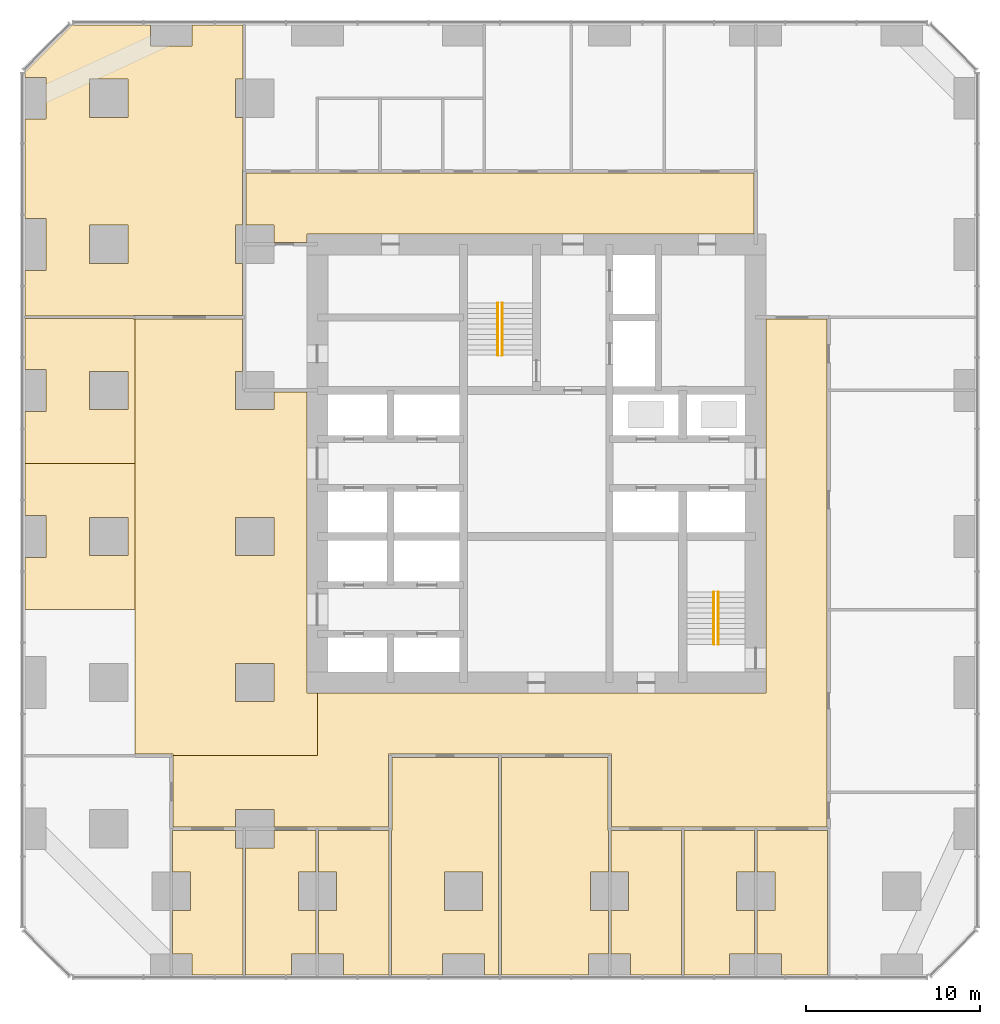
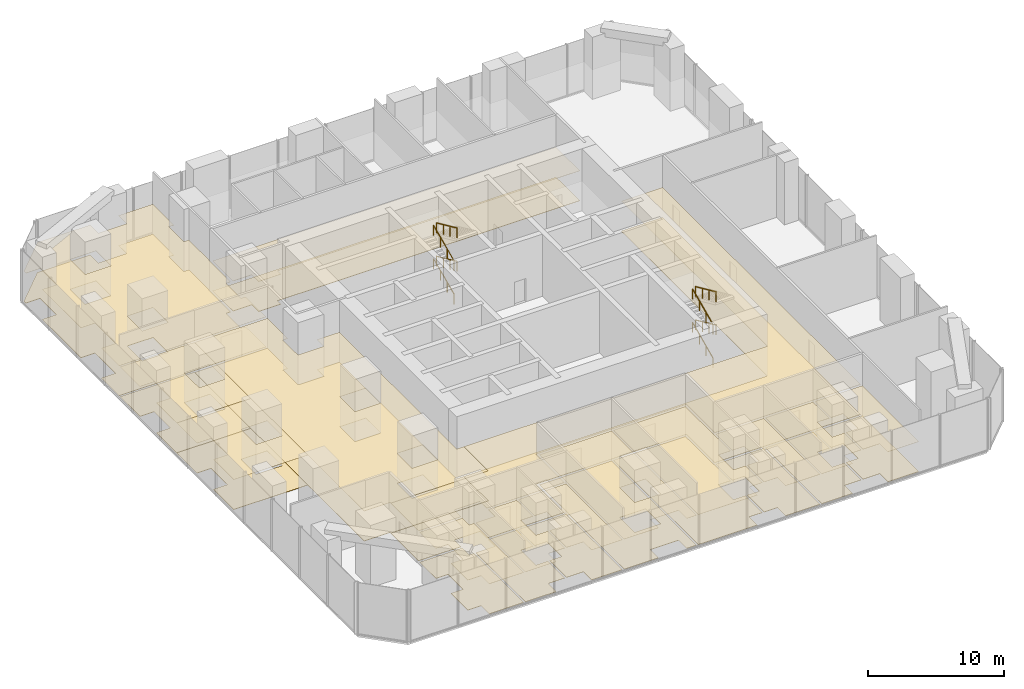
# One storey, part 11 of 13: 28 coverings, 8 railings.
"""IFC4 building model written with IfcOpenShell, lengths in metres."""

from ifc_helpers import new_model, si_unit, direction, frame, origin, origin_2d, place, context, subcontext, project, spatial, polyline, circle, outline, extrude, material, layer, layer_set, type_object, element, save


model = new_model("IFC4")

# Units and contexts
model_context = context("Model", 3, precision=1e-05, world=origin(), true_north=direction((0.0, 1.0)))
body_context = subcontext(model_context, "Body", "Model", "MODEL_VIEW")
ifc_project = project(units=[si_unit("LENGTHUNIT", "METRE"), si_unit("AREAUNIT", "SQUARE_METRE"), si_unit("VOLUMEUNIT", "CUBIC_METRE"), si_unit("PLANEANGLEUNIT", "RADIAN"), si_unit("MASSUNIT", "GRAM", prefix="KILO")], contexts=[model_context])

# Site, building, storey
site_placement = place(None, origin())
site = spatial("IfcSite", under=ifc_project, at=site_placement, CompositionType="ELEMENT")
building_placement = place(site_placement, origin())
building = spatial("IfcBuilding", under=site, at=building_placement, Name="Dunama Terrace Hotel", CompositionType="ELEMENT")
storey_placement = place(building_placement, frame((0.0, 0.0, 147.60009765625)))
storey = spatial("IfcBuildingStorey", under=building, at=storey_placement, Name="L38", CompositionType="ELEMENT", Elevation=147.60009765625)

# Railings
ifc_material_1 = material(Name="Stainless steel handrail", Category="steel")
railing_type = type_object("IfcRailingType", Name="Stair handrail 900", PredefinedType="HANDRAIL", material=ifc_material_1)
railing_1_placement = place(storey_placement, frame((27.175048828125, 35.625, 0.13623046875)))
element("IfcRailing", 1, at=railing_1_placement, inside=storey, type_object=railing_type, Name="Handrail ST1 L38", PredefinedType="HANDRAIL", context=body_context, shape_type="SweptSolid", body=[
    extrude(circle(Radius=0.02392578125, at=origin_2d()), frame((0.0, 0.0, 0.8759765625), z_axis=(0.0, 0.910351253989, 0.413836434308), x_axis=(-1.0, 0.0, 0.0)), (0.0, 0.0, 1.0), 3.29541015625),
    extrude(circle(Radius=0.02099609375, at=origin_2d()), origin(), (0.0, 0.0, 1.0), 0.851806640625),
    extrude(circle(Radius=0.02099609375, at=origin_2d()), frame((0.0, 1.0, 0.45458984375)), (0.0, 0.0, 1.0), 0.851806640625),
    extrude(circle(Radius=0.02099609375, at=origin_2d()), frame((0.0, 2.0, 0.9091796875)), (0.0, 0.0, 1.0), 0.851806640625),
    extrude(circle(Radius=0.02099609375, at=origin_2d()), frame((0.0, 3.0, 1.36376953125)), (0.0, 0.0, 1.0), 0.851806640625),
])
railing_2_placement = place(storey_placement, frame((27.425048828125, 38.625, 1.63623046875)))
element("IfcRailing", 2, at=railing_2_placement, inside=storey, type_object=railing_type, Name="Handrail ST1 L38", PredefinedType="HANDRAIL", context=body_context, shape_type="SweptSolid", body=[
    extrude(circle(Radius=0.02392578125, at=origin_2d()), frame((0.0, 0.0, 0.8759765625), z_axis=(0.0, -0.910351253989, 0.413836434308), x_axis=(1.0, 0.0, 0.0)), (0.0, 0.0, 1.0), 3.29541015625),
    extrude(circle(Radius=0.02099609375, at=origin_2d()), origin(), (0.0, 0.0, 1.0), 0.851806640625),
    extrude(circle(Radius=0.02099609375, at=origin_2d()), frame((0.0, -1.0, 0.45458984375)), (0.0, 0.0, 1.0), 0.851806640625),
    extrude(circle(Radius=0.02099609375, at=origin_2d()), frame((0.0, -2.0, 0.9091796875)), (0.0, 0.0, 1.0), 0.851806640625),
    extrude(circle(Radius=0.02099609375, at=origin_2d()), frame((0.0, -3.0, 1.36376953125)), (0.0, 0.0, 1.0), 0.851806640625),
])
railing_3_placement = place(storey_placement, frame((27.175048828125, 35.625, 3.13623046875)))
element("IfcRailing", 3, at=railing_3_placement, inside=storey, type_object=railing_type, Name="Handrail ST1 L38", PredefinedType="HANDRAIL", context=body_context, shape_type="SweptSolid", body=[
    extrude(circle(Radius=0.02392578125, at=origin_2d()), frame((0.0, 0.0, 0.8759765625), z_axis=(0.0, 0.910351253989, 0.413836434308), x_axis=(-1.0, 0.0, 0.0)), (0.0, 0.0, 1.0), 3.29541015625),
    extrude(circle(Radius=0.02099609375, at=origin_2d()), origin(), (0.0, 0.0, 1.0), 0.851806640625),
    extrude(circle(Radius=0.02099609375, at=origin_2d()), frame((0.0, 1.0, 0.45458984375)), (0.0, 0.0, 1.0), 0.851806640625),
    extrude(circle(Radius=0.02099609375, at=origin_2d()), frame((0.0, 2.0, 0.9091796875)), (0.0, 0.0, 1.0), 0.851806640625),
    extrude(circle(Radius=0.02099609375, at=origin_2d()), frame((0.0, 3.0, 1.36376953125)), (0.0, 0.0, 1.0), 0.851806640625),
])
railing_4_placement = place(storey_placement, frame((27.425048828125, 38.625, 4.63623046875)))
element("IfcRailing", 4, at=railing_4_placement, inside=storey, type_object=railing_type, Name="Handrail ST1 L38", PredefinedType="HANDRAIL", context=body_context, shape_type="SweptSolid", body=[
    extrude(circle(Radius=0.02392578125, at=origin_2d()), frame((0.0, 0.0, 0.8759765625), z_axis=(0.0, -0.910351253989, 0.413836434308), x_axis=(1.0, 0.0, 0.0)), (0.0, 0.0, 1.0), 3.29541015625),
    extrude(circle(Radius=0.02099609375, at=origin_2d()), origin(), (0.0, 0.0, 1.0), 0.851806640625),
    extrude(circle(Radius=0.02099609375, at=origin_2d()), frame((0.0, -1.0, 0.45458984375)), (0.0, 0.0, 1.0), 0.851806640625),
    extrude(circle(Radius=0.02099609375, at=origin_2d()), frame((0.0, -2.0, 0.9091796875)), (0.0, 0.0, 1.0), 0.851806640625),
    extrude(circle(Radius=0.02099609375, at=origin_2d()), frame((0.0, -3.0, 1.36376953125)), (0.0, 0.0, 1.0), 0.851806640625),
])
railing_5_placement = place(storey_placement, frame((39.60009765625, 19.0, 0.13623046875)))
element("IfcRailing", 5, at=railing_5_placement, inside=storey, type_object=railing_type, Name="Handrail ST2 L38", PredefinedType="HANDRAIL", context=body_context, shape_type="SweptSolid", body=[
    extrude(circle(Radius=0.02392578125, at=origin_2d()), frame((0.0, 0.0, 0.8759765625), z_axis=(0.0, 0.910351253989, 0.413836434308), x_axis=(-1.0, 0.0, 0.0)), (0.0, 0.0, 1.0), 3.29541015625),
    extrude(circle(Radius=0.02099609375, at=origin_2d()), origin(), (0.0, 0.0, 1.0), 0.851806640625),
    extrude(circle(Radius=0.02099609375, at=origin_2d()), frame((0.0, 1.0, 0.45458984375)), (0.0, 0.0, 1.0), 0.851806640625),
    extrude(circle(Radius=0.02099609375, at=origin_2d()), frame((0.0, 2.0, 0.9091796875)), (0.0, 0.0, 1.0), 0.851806640625),
    extrude(circle(Radius=0.02099609375, at=origin_2d()), frame((0.0, 3.0, 1.36376953125)), (0.0, 0.0, 1.0), 0.851806640625),
])
railing_6_placement = place(storey_placement, frame((39.85009765625, 22.0, 1.63623046875)))
element("IfcRailing", 6, at=railing_6_placement, inside=storey, type_object=railing_type, Name="Handrail ST2 L38", PredefinedType="HANDRAIL", context=body_context, shape_type="SweptSolid", body=[
    extrude(circle(Radius=0.02392578125, at=origin_2d()), frame((0.0, 0.0, 0.8759765625), z_axis=(0.0, -0.910351253989, 0.413836434308), x_axis=(1.0, 0.0, 0.0)), (0.0, 0.0, 1.0), 3.29541015625),
    extrude(circle(Radius=0.02099609375, at=origin_2d()), origin(), (0.0, 0.0, 1.0), 0.851806640625),
    extrude(circle(Radius=0.02099609375, at=origin_2d()), frame((0.0, -1.0, 0.45458984375)), (0.0, 0.0, 1.0), 0.851806640625),
    extrude(circle(Radius=0.02099609375, at=origin_2d()), frame((0.0, -2.0, 0.9091796875)), (0.0, 0.0, 1.0), 0.851806640625),
    extrude(circle(Radius=0.02099609375, at=origin_2d()), frame((0.0, -3.0, 1.36376953125)), (0.0, 0.0, 1.0), 0.851806640625),
])
railing_7_placement = place(storey_placement, frame((39.60009765625, 19.0, 3.13623046875)))
element("IfcRailing", 7, at=railing_7_placement, inside=storey, type_object=railing_type, Name="Handrail ST2 L38", PredefinedType="HANDRAIL", context=body_context, shape_type="SweptSolid", body=[
    extrude(circle(Radius=0.02392578125, at=origin_2d()), frame((0.0, 0.0, 0.8759765625), z_axis=(0.0, 0.910351253989, 0.413836434308), x_axis=(-1.0, 0.0, 0.0)), (0.0, 0.0, 1.0), 3.29541015625),
    extrude(circle(Radius=0.02099609375, at=origin_2d()), origin(), (0.0, 0.0, 1.0), 0.851806640625),
    extrude(circle(Radius=0.02099609375, at=origin_2d()), frame((0.0, 1.0, 0.45458984375)), (0.0, 0.0, 1.0), 0.851806640625),
    extrude(circle(Radius=0.02099609375, at=origin_2d()), frame((0.0, 2.0, 0.9091796875)), (0.0, 0.0, 1.0), 0.851806640625),
    extrude(circle(Radius=0.02099609375, at=origin_2d()), frame((0.0, 3.0, 1.36376953125)), (0.0, 0.0, 1.0), 0.851806640625),
])
railing_8_placement = place(storey_placement, frame((39.85009765625, 22.0, 4.63623046875)))
element("IfcRailing", 8, at=railing_8_placement, inside=storey, type_object=railing_type, Name="Handrail ST2 L38", PredefinedType="HANDRAIL", context=body_context, shape_type="SweptSolid", body=[
    extrude(circle(Radius=0.02392578125, at=origin_2d()), frame((0.0, 0.0, 0.8759765625), z_axis=(0.0, -0.910351253989, 0.413836434308), x_axis=(1.0, 0.0, 0.0)), (0.0, 0.0, 1.0), 3.29541015625),
    extrude(circle(Radius=0.02099609375, at=origin_2d()), origin(), (0.0, 0.0, 1.0), 0.851806640625),
    extrude(circle(Radius=0.02099609375, at=origin_2d()), frame((0.0, -1.0, 0.45458984375)), (0.0, 0.0, 1.0), 0.851806640625),
    extrude(circle(Radius=0.02099609375, at=origin_2d()), frame((0.0, -2.0, 0.9091796875)), (0.0, 0.0, 1.0), 0.851806640625),
    extrude(circle(Radius=0.02099609375, at=origin_2d()), frame((0.0, -3.0, 1.36376953125)), (0.0, 0.0, 1.0), 0.851806640625),
])

# Coverings
ifc_material_2 = material(Name="Natural stone floor tiles", Category="masonry")
ifc_layer_1 = layer(ifc_material_2, 0.030029296875)
ifc_layer_set_1 = layer_set([ifc_layer_1], Name="Stone floor finish 30")
covering_type_1 = type_object("IfcCoveringType", Name="Stone floor finish 30", PredefinedType="FLOORING", material=ifc_layer_set_1)
covering_1_placement = place(storey_placement, origin())
element("IfcCovering", 9, at=covering_1_placement, inside=storey, type_object=covering_type_1, Name="Floor finish L38-14", PredefinedType="FLOORING", context=body_context, shape_type="SweptSolid", body=[
    extrude(outline(polyline([(6.300048828125, 37.699951171875), (6.300048828125, 12.699951171875), (8.300048828125, 12.699951171875), (8.39990234375, 12.699951171875), (8.5, 12.699951171875), (8.5, 12.60009765625), (16.800048828125, 12.60009765625), (16.800048828125, 16.199951171875), (16.199951171875, 16.199951171875), (16.199951171875, 17.39990234375), (16.199951171875, 33.5), (14.300048828125, 33.5), (14.300048828125, 32.5), (12.10009765625, 32.5), (12.10009765625, 34.699951171875), (12.5, 34.699951171875), (12.5, 37.699951171875), (6.300048828125, 37.699951171875)]), holes=[polyline([(12.10009765625, 17.89990234375), (14.300048828125, 17.89990234375), (14.300048828125, 15.699951171875), (12.10009765625, 15.699951171875), (12.10009765625, 17.89990234375)]), polyline([(12.10009765625, 26.300048828125), (14.300048828125, 26.300048828125), (14.300048828125, 24.10009765625), (12.10009765625, 24.10009765625), (12.10009765625, 26.300048828125)])]), origin(), (0.0, 0.0, 1.0), 0.02978515625),
])
covering_2_placement = place(storey_placement, origin())
element("IfcCovering", 10, at=covering_2_placement, inside=storey, type_object=covering_type_1, Name="Floor finish L38-15", PredefinedType="FLOORING", context=body_context, shape_type="SweptSolid", body=[
    extrude(outline(polyline([(0.0, 21.0), (6.300048828125, 21.0), (6.300048828125, 29.39990234375), (0.0, 29.39990234375), (0.0, 26.39990234375), (1.199951171875, 26.39990234375), (1.199951171875, 24.0), (0.0, 24.0), (0.0, 21.0)]), holes=[polyline([(3.699951171875, 26.300048828125), (5.89990234375, 26.300048828125), (5.89990234375, 24.10009765625), (3.699951171875, 24.10009765625), (3.699951171875, 26.300048828125)])]), origin(), (0.0, 0.0, 1.0), 0.02978515625),
])
covering_3_placement = place(storey_placement, origin())
element("IfcCovering", 11, at=covering_3_placement, inside=storey, type_object=covering_type_1, Name="Floor finish L38-16", PredefinedType="FLOORING", context=body_context, shape_type="SweptSolid", body=[
    extrude(outline(polyline([(0.0, 29.39990234375), (6.300048828125, 29.39990234375), (6.300048828125, 37.699951171875), (6.199951171875, 37.699951171875), (6.199951171875, 37.72509765625), (0.0, 37.72509765625), (0.0, 34.800048828125), (1.199951171875, 34.800048828125), (1.199951171875, 32.39990234375), (0.0, 32.39990234375), (0.0, 29.39990234375)]), holes=[polyline([(3.699951171875, 32.5), (3.699951171875, 34.699951171875), (5.89990234375, 34.699951171875), (5.89990234375, 32.5), (3.699951171875, 32.5)])]), origin(), (0.0, 0.0, 1.0), 0.02978515625),
])
covering_4_placement = place(storey_placement, origin())
element("IfcCovering", 12, at=covering_4_placement, inside=storey, type_object=covering_type_1, Name="Floor finish L38-19", PredefinedType="FLOORING", context=body_context, shape_type="SweptSolid", body=[
    extrude(outline(polyline([(9.60009765625, 0.0), (12.52490234375, 0.0), (12.52490234375, 7.300048828125), (12.10009765625, 7.300048828125), (12.10009765625, 8.300048828125), (8.5, 8.300048828125), (8.47509765625, 8.300048828125), (8.47509765625, 5.89990234375), (9.5, 5.89990234375), (9.5, 3.699951171875), (8.47509765625, 3.699951171875), (8.47509765625, 1.199951171875), (9.60009765625, 1.199951171875), (9.60009765625, 0.0)])), origin(), (0.0, 0.0, 1.0), 0.02978515625),
])
covering_5_placement = place(storey_placement, origin())
element("IfcCovering", 13, at=covering_5_placement, inside=storey, type_object=covering_type_1, Name="Floor finish L38-20", PredefinedType="FLOORING", context=body_context, shape_type="SweptSolid", body=[
    extrude(outline(polyline([(12.675048828125, 0.0), (15.300048828125, 0.0), (15.300048828125, 1.199951171875), (16.72509765625, 1.199951171875), (16.72509765625, 3.699951171875), (15.699951171875, 3.699951171875), (15.699951171875, 5.89990234375), (16.72509765625, 5.89990234375), (16.72509765625, 8.300048828125), (14.300048828125, 8.300048828125), (14.300048828125, 7.300048828125), (12.675048828125, 7.300048828125), (12.675048828125, 0.0)])), origin(), (0.0, 0.0, 1.0), 0.02978515625),
])
covering_6_placement = place(storey_placement, origin())
element("IfcCovering", 14, at=covering_6_placement, inside=storey, type_object=covering_type_1, Name="Floor finish L38-21", PredefinedType="FLOORING", context=body_context, shape_type="SweptSolid", body=[
    extrude(outline(polyline([(18.300048828125, 0.0), (20.925048828125, 0.0), (20.925048828125, 8.300048828125), (20.89990234375, 8.300048828125), (16.875, 8.300048828125), (16.875, 5.89990234375), (17.89990234375, 5.89990234375), (17.89990234375, 3.699951171875), (16.875, 3.699951171875), (16.875, 1.199951171875), (18.300048828125, 1.199951171875), (18.300048828125, 0.0)])), origin(), (0.0, 0.0, 1.0), 0.02978515625),
])
covering_7_placement = place(storey_placement, origin())
element("IfcCovering", 15, at=covering_7_placement, inside=storey, type_object=covering_type_1, Name="Floor finish L38-22", PredefinedType="FLOORING", context=body_context, shape_type="SweptSolid", body=[
    extrude(outline(polyline([(34.800048828125, 0.0), (37.72509765625, 0.0), (37.72509765625, 8.300048828125), (33.699951171875, 8.300048828125), (33.675048828125, 8.300048828125), (33.675048828125, 5.89990234375), (34.699951171875, 5.89990234375), (34.699951171875, 3.699951171875), (33.675048828125, 3.699951171875), (33.675048828125, 1.199951171875), (34.800048828125, 1.199951171875), (34.800048828125, 0.0)])), origin(), (0.0, 0.0, 1.0), 0.02978515625),
])
covering_8_placement = place(storey_placement, origin())
element("IfcCovering", 16, at=covering_8_placement, inside=storey, type_object=covering_type_1, Name="Floor finish L38-23", PredefinedType="FLOORING", context=body_context, shape_type="SweptSolid", body=[
    extrude(outline(polyline([(37.875, 0.0), (40.5, 0.0), (40.5, 1.199951171875), (41.925048828125, 1.199951171875), (41.925048828125, 3.699951171875), (40.89990234375, 3.699951171875), (40.89990234375, 5.89990234375), (41.925048828125, 5.89990234375), (41.925048828125, 8.300048828125), (37.875, 8.300048828125), (37.875, 0.0)])), origin(), (0.0, 0.0, 1.0), 0.02978515625),
])
covering_9_placement = place(storey_placement, origin())
element("IfcCovering", 17, at=covering_9_placement, inside=storey, type_object=covering_type_1, Name="Floor finish L38-24", PredefinedType="FLOORING", context=body_context, shape_type="SweptSolid", body=[
    extrude(outline(polyline([(43.5, 0.0), (46.125, 0.0), (46.125, 8.300048828125), (46.10009765625, 8.300048828125), (42.074951171875, 8.300048828125), (42.074951171875, 5.89990234375), (43.10009765625, 5.89990234375), (43.10009765625, 3.699951171875), (42.074951171875, 3.699951171875), (42.074951171875, 1.199951171875), (43.5, 1.199951171875), (43.5, 0.0)])), origin(), (0.0, 0.0, 1.0), 0.02978515625),
])
covering_10_placement = place(storey_placement, origin())
element("IfcCovering", 18, at=covering_10_placement, inside=storey, type_object=covering_type_1, Name="Floor finish L38-25", PredefinedType="FLOORING", context=body_context, shape_type="SweptSolid", body=[
    extrude(outline(polyline([(26.39990234375, 0.0), (27.22509765625, 0.0), (27.22509765625, 12.5), (21.10009765625, 12.5), (21.10009765625, 8.5), (21.10009765625, 8.39990234375), (21.10009765625, 8.300048828125), (21.074951171875, 8.300048828125), (21.074951171875, 0.0), (24.0, 0.0), (24.0, 1.199951171875), (26.39990234375, 1.199951171875), (26.39990234375, 0.0)]), holes=[polyline([(24.10009765625, 5.89990234375), (26.300048828125, 5.89990234375), (26.300048828125, 3.699951171875), (24.10009765625, 3.699951171875), (24.10009765625, 5.89990234375)])]), origin(), (0.0, 0.0, 1.0), 0.02978515625),
])
covering_11_placement = place(storey_placement, origin())
element("IfcCovering", 19, at=covering_11_placement, inside=storey, type_object=covering_type_1, Name="Floor finish L38-26", PredefinedType="FLOORING", context=body_context, shape_type="SweptSolid", body=[
    extrude(outline(polyline([(27.375, 0.0), (32.39990234375, 0.0), (32.39990234375, 1.199951171875), (33.52490234375, 1.199951171875), (33.52490234375, 3.699951171875), (32.5, 3.699951171875), (32.5, 5.89990234375), (33.52490234375, 5.89990234375), (33.52490234375, 8.300048828125), (33.5, 8.300048828125), (33.5, 8.5), (33.5, 12.5), (27.375, 12.5), (27.375, 0.0)])), origin(), (0.0, 0.0, 1.0), 0.02978515625),
])
covering_12_placement = place(storey_placement, origin())
element("IfcCovering", 20, at=covering_12_placement, inside=storey, type_object=covering_type_1, Name="Floor finish L38-32", PredefinedType="FLOORING", context=body_context, shape_type="SweptSolid", body=[
    extrude(outline(polyline([(0.0, 40.5), (0.0, 37.875), (6.199951171875, 37.875), (6.199951171875, 37.89990234375), (12.5, 37.89990234375), (12.5, 40.89990234375), (12.10009765625, 40.89990234375), (12.10009765625, 43.10009765625), (12.5, 43.10009765625), (12.5, 46.10009765625), (12.5, 46.199951171875), (12.5, 46.300048828125), (12.52490234375, 46.300048828125), (12.52490234375, 49.300048828125), (12.10009765625, 49.300048828125), (12.10009765625, 51.5), (12.52490234375, 51.5), (12.52490234375, 54.60009765625), (9.60009765625, 54.60009765625), (9.60009765625, 53.39990234375), (7.199951171875, 53.39990234375), (7.199951171875, 54.60009765625), (2.699951171875, 54.60009765625), (0.0, 51.89990234375), (0.0, 51.60009765625), (1.199951171875, 51.60009765625), (1.199951171875, 49.199951171875), (0.0, 49.199951171875), (0.0, 43.5), (1.199951171875, 43.5), (1.199951171875, 40.5), (0.0, 40.5)]), holes=[polyline([(3.699951171875, 43.10009765625), (5.89990234375, 43.10009765625), (5.89990234375, 40.89990234375), (3.699951171875, 40.89990234375), (3.699951171875, 43.10009765625)]), polyline([(3.699951171875, 51.5), (5.89990234375, 51.5), (5.89990234375, 49.300048828125), (3.699951171875, 49.300048828125), (3.699951171875, 51.5)])]), origin(), (0.0, 0.0, 1.0), 0.02978515625),
])
covering_13_placement = place(storey_placement, origin())
element("IfcCovering", 21, at=covering_13_placement, inside=storey, type_object=covering_type_1, Name="Floor finish L38-40", PredefinedType="FLOORING", context=body_context, shape_type="SweptSolid", body=[
    extrude(outline(polyline([(16.800048828125, 12.60009765625), (8.5, 12.60009765625), (8.5, 12.5), (8.5, 8.5), (12.10009765625, 8.5), (12.10009765625, 9.5), (14.300048828125, 9.5), (14.300048828125, 8.5), (20.89990234375, 8.5), (20.89990234375, 12.5), (20.89990234375, 12.60009765625), (20.89990234375, 12.699951171875), (21.10009765625, 12.699951171875), (33.5, 12.699951171875), (33.60009765625, 12.699951171875), (33.699951171875, 12.699951171875), (33.699951171875, 12.5), (33.699951171875, 8.5), (46.10009765625, 8.5), (46.10009765625, 37.699951171875), (42.60009765625, 37.699951171875), (42.60009765625, 17.39990234375), (42.60009765625, 16.800048828125), (42.60009765625, 16.199951171875), (41.39990234375, 16.199951171875), (17.39990234375, 16.199951171875), (16.800048828125, 16.199951171875), (16.800048828125, 12.60009765625)])), origin(), (0.0, 0.0, 1.0), 0.02978515625),
])
covering_14_placement = place(storey_placement, origin())
element("IfcCovering", 22, at=covering_14_placement, inside=storey, type_object=covering_type_1, Name="Floor finish L38-41", PredefinedType="FLOORING", context=body_context, shape_type="SweptSolid", body=[
    extrude(outline(polyline([(12.699951171875, 46.10009765625), (12.699951171875, 43.10009765625), (14.300048828125, 43.10009765625), (14.300048828125, 42.10009765625), (16.199951171875, 42.10009765625), (16.199951171875, 42.60009765625), (17.39990234375, 42.60009765625), (41.39990234375, 42.60009765625), (41.89990234375, 42.60009765625), (41.89990234375, 46.10009765625), (12.699951171875, 46.10009765625)])), origin(), (0.0, 0.0, 1.0), 0.02978515625),
])
ifc_material_3 = material(Name="Gypsum plasterboard ceiling")
ifc_layer_2 = layer(ifc_material_3, 0.02001953125)
ifc_layer_set_2 = layer_set([ifc_layer_2], Name="Suspended ceiling 20")
covering_type_2 = type_object("IfcCoveringType", Name="Suspended ceiling 20", PredefinedType="CEILING", material=ifc_layer_set_2)
covering_15_placement = place(storey_placement, frame((0.0, 0.0, 2.699951171875)))
element("IfcCovering", 23, at=covering_15_placement, inside=storey, type_object=covering_type_2, Name="Ceiling L38-14", PredefinedType="CEILING", context=body_context, shape_type="SweptSolid", body=[
    extrude(outline(polyline([(12.5, 37.699951171875), (6.300048828125, 37.699951171875), (6.300048828125, 12.699951171875), (8.300048828125, 12.699951171875), (8.39990234375, 12.699951171875), (8.5, 12.699951171875), (8.5, 12.60009765625), (16.800048828125, 12.60009765625), (16.800048828125, 16.199951171875), (16.199951171875, 16.199951171875), (16.199951171875, 17.39990234375), (16.199951171875, 33.5), (14.300048828125, 33.5), (14.300048828125, 32.5), (12.10009765625, 32.5), (12.10009765625, 34.699951171875), (12.5, 34.699951171875), (12.5, 37.699951171875)]), holes=[polyline([(12.10009765625, 15.699951171875), (12.10009765625, 17.89990234375), (14.300048828125, 17.89990234375), (14.300048828125, 15.699951171875), (12.10009765625, 15.699951171875)]), polyline([(12.10009765625, 24.10009765625), (12.10009765625, 26.300048828125), (14.300048828125, 26.300048828125), (14.300048828125, 24.10009765625), (12.10009765625, 24.10009765625)])]), origin(), (0.0, 0.0, 1.0), 0.02001953125),
])
covering_16_placement = place(storey_placement, frame((0.0, 0.0, 2.699951171875)))
element("IfcCovering", 24, at=covering_16_placement, inside=storey, type_object=covering_type_2, Name="Ceiling L38-15", PredefinedType="CEILING", context=body_context, shape_type="SweptSolid", body=[
    extrude(outline(polyline([(0.0, 24.0), (0.0, 21.0), (6.300048828125, 21.0), (6.300048828125, 29.39990234375), (0.0, 29.39990234375), (0.0, 26.39990234375), (1.199951171875, 26.39990234375), (1.199951171875, 24.0), (0.0, 24.0)]), holes=[polyline([(3.699951171875, 24.10009765625), (3.699951171875, 26.300048828125), (5.89990234375, 26.300048828125), (5.89990234375, 24.10009765625), (3.699951171875, 24.10009765625)])]), origin(), (0.0, 0.0, 1.0), 0.02001953125),
])
covering_17_placement = place(storey_placement, frame((0.0, 0.0, 2.699951171875)))
element("IfcCovering", 25, at=covering_17_placement, inside=storey, type_object=covering_type_2, Name="Ceiling L38-16", PredefinedType="CEILING", context=body_context, shape_type="SweptSolid", body=[
    extrude(outline(polyline([(0.0, 32.39990234375), (0.0, 29.39990234375), (6.300048828125, 29.39990234375), (6.300048828125, 37.699951171875), (6.199951171875, 37.699951171875), (6.199951171875, 37.72509765625), (0.0, 37.72509765625), (0.0, 34.800048828125), (1.199951171875, 34.800048828125), (1.199951171875, 32.39990234375), (0.0, 32.39990234375)]), holes=[polyline([(5.89990234375, 32.5), (3.699951171875, 32.5), (3.699951171875, 34.699951171875), (5.89990234375, 34.699951171875), (5.89990234375, 32.5)])]), origin(), (0.0, 0.0, 1.0), 0.02001953125),
])
covering_18_placement = place(storey_placement, frame((0.0, 0.0, 2.699951171875)))
element("IfcCovering", 26, at=covering_18_placement, inside=storey, type_object=covering_type_2, Name="Ceiling L38-19", PredefinedType="CEILING", context=body_context, shape_type="SweptSolid", body=[
    extrude(outline(polyline([(9.60009765625, 1.199951171875), (9.60009765625, 0.0), (12.52490234375, 0.0), (12.52490234375, 7.300048828125), (12.10009765625, 7.300048828125), (12.10009765625, 8.300048828125), (8.5, 8.300048828125), (8.47509765625, 8.300048828125), (8.47509765625, 5.89990234375), (9.5, 5.89990234375), (9.5, 3.699951171875), (8.47509765625, 3.699951171875), (8.47509765625, 1.199951171875), (9.60009765625, 1.199951171875)])), origin(), (0.0, 0.0, 1.0), 0.02001953125),
])
covering_19_placement = place(storey_placement, frame((0.0, 0.0, 2.699951171875)))
element("IfcCovering", 27, at=covering_19_placement, inside=storey, type_object=covering_type_2, Name="Ceiling L38-20", PredefinedType="CEILING", context=body_context, shape_type="SweptSolid", body=[
    extrude(outline(polyline([(12.675048828125, 7.300048828125), (12.675048828125, 0.0), (15.300048828125, 0.0), (15.300048828125, 1.199951171875), (16.72509765625, 1.199951171875), (16.72509765625, 3.699951171875), (15.699951171875, 3.699951171875), (15.699951171875, 5.89990234375), (16.72509765625, 5.89990234375), (16.72509765625, 8.300048828125), (14.300048828125, 8.300048828125), (14.300048828125, 7.300048828125), (12.675048828125, 7.300048828125)])), origin(), (0.0, 0.0, 1.0), 0.02001953125),
])
covering_20_placement = place(storey_placement, frame((0.0, 0.0, 2.699951171875)))
element("IfcCovering", 28, at=covering_20_placement, inside=storey, type_object=covering_type_2, Name="Ceiling L38-21", PredefinedType="CEILING", context=body_context, shape_type="SweptSolid", body=[
    extrude(outline(polyline([(18.300048828125, 1.199951171875), (18.300048828125, 0.0), (20.925048828125, 0.0), (20.925048828125, 8.300048828125), (20.89990234375, 8.300048828125), (16.875, 8.300048828125), (16.875, 5.89990234375), (17.89990234375, 5.89990234375), (17.89990234375, 3.699951171875), (16.875, 3.699951171875), (16.875, 1.199951171875), (18.300048828125, 1.199951171875)])), origin(), (0.0, 0.0, 1.0), 0.02001953125),
])
covering_21_placement = place(storey_placement, frame((0.0, 0.0, 2.699951171875)))
element("IfcCovering", 29, at=covering_21_placement, inside=storey, type_object=covering_type_2, Name="Ceiling L38-22", PredefinedType="CEILING", context=body_context, shape_type="SweptSolid", body=[
    extrude(outline(polyline([(34.800048828125, 1.199951171875), (34.800048828125, 0.0), (37.72509765625, 0.0), (37.72509765625, 8.300048828125), (33.699951171875, 8.300048828125), (33.675048828125, 8.300048828125), (33.675048828125, 5.89990234375), (34.699951171875, 5.89990234375), (34.699951171875, 3.699951171875), (33.675048828125, 3.699951171875), (33.675048828125, 1.199951171875), (34.800048828125, 1.199951171875)])), origin(), (0.0, 0.0, 1.0), 0.02001953125),
])
covering_22_placement = place(storey_placement, frame((0.0, 0.0, 2.699951171875)))
element("IfcCovering", 30, at=covering_22_placement, inside=storey, type_object=covering_type_2, Name="Ceiling L38-23", PredefinedType="CEILING", context=body_context, shape_type="SweptSolid", body=[
    extrude(outline(polyline([(37.875, 8.300048828125), (37.875, 0.0), (40.5, 0.0), (40.5, 1.199951171875), (41.925048828125, 1.199951171875), (41.925048828125, 3.699951171875), (40.89990234375, 3.699951171875), (40.89990234375, 5.89990234375), (41.925048828125, 5.89990234375), (41.925048828125, 8.300048828125), (37.875, 8.300048828125)])), origin(), (0.0, 0.0, 1.0), 0.02001953125),
])
covering_23_placement = place(storey_placement, frame((0.0, 0.0, 2.699951171875)))
element("IfcCovering", 31, at=covering_23_placement, inside=storey, type_object=covering_type_2, Name="Ceiling L38-24", PredefinedType="CEILING", context=body_context, shape_type="SweptSolid", body=[
    extrude(outline(polyline([(43.5, 1.199951171875), (43.5, 0.0), (46.125, 0.0), (46.125, 8.300048828125), (46.10009765625, 8.300048828125), (42.074951171875, 8.300048828125), (42.074951171875, 5.89990234375), (43.10009765625, 5.89990234375), (43.10009765625, 3.699951171875), (42.074951171875, 3.699951171875), (42.074951171875, 1.199951171875), (43.5, 1.199951171875)])), origin(), (0.0, 0.0, 1.0), 0.02001953125),
])
covering_24_placement = place(storey_placement, frame((0.0, 0.0, 2.699951171875)))
element("IfcCovering", 32, at=covering_24_placement, inside=storey, type_object=covering_type_2, Name="Ceiling L38-25", PredefinedType="CEILING", context=body_context, shape_type="SweptSolid", body=[
    extrude(outline(polyline([(26.39990234375, 1.199951171875), (26.39990234375, 0.0), (27.22509765625, 0.0), (27.22509765625, 12.5), (21.10009765625, 12.5), (21.10009765625, 8.5), (21.10009765625, 8.39990234375), (21.10009765625, 8.300048828125), (21.074951171875, 8.300048828125), (21.074951171875, 0.0), (24.0, 0.0), (24.0, 1.199951171875), (26.39990234375, 1.199951171875)]), holes=[polyline([(24.10009765625, 3.699951171875), (24.10009765625, 5.89990234375), (26.300048828125, 5.89990234375), (26.300048828125, 3.699951171875), (24.10009765625, 3.699951171875)])]), origin(), (0.0, 0.0, 1.0), 0.02001953125),
])
covering_25_placement = place(storey_placement, frame((0.0, 0.0, 2.699951171875)))
element("IfcCovering", 33, at=covering_25_placement, inside=storey, type_object=covering_type_2, Name="Ceiling L38-26", PredefinedType="CEILING", context=body_context, shape_type="SweptSolid", body=[
    extrude(outline(polyline([(27.375, 12.5), (27.375, 0.0), (32.39990234375, 0.0), (32.39990234375, 1.199951171875), (33.52490234375, 1.199951171875), (33.52490234375, 3.699951171875), (32.5, 3.699951171875), (32.5, 5.89990234375), (33.52490234375, 5.89990234375), (33.52490234375, 8.300048828125), (33.5, 8.300048828125), (33.5, 8.5), (33.5, 12.5), (27.375, 12.5)])), origin(), (0.0, 0.0, 1.0), 0.02001953125),
])
covering_26_placement = place(storey_placement, frame((0.0, 0.0, 2.699951171875)))
element("IfcCovering", 34, at=covering_26_placement, inside=storey, type_object=covering_type_2, Name="Ceiling L38-32", PredefinedType="CEILING", context=body_context, shape_type="SweptSolid", body=[
    extrude(outline(polyline([(1.199951171875, 40.5), (0.0, 40.5), (0.0, 37.875), (6.199951171875, 37.875), (6.199951171875, 37.89990234375), (12.5, 37.89990234375), (12.5, 40.89990234375), (12.10009765625, 40.89990234375), (12.10009765625, 43.10009765625), (12.5, 43.10009765625), (12.5, 46.10009765625), (12.5, 46.199951171875), (12.5, 46.300048828125), (12.52490234375, 46.300048828125), (12.52490234375, 49.300048828125), (12.10009765625, 49.300048828125), (12.10009765625, 51.5), (12.52490234375, 51.5), (12.52490234375, 54.60009765625), (9.60009765625, 54.60009765625), (9.60009765625, 53.39990234375), (7.199951171875, 53.39990234375), (7.199951171875, 54.60009765625), (2.699951171875, 54.60009765625), (0.0, 51.89990234375), (0.0, 51.60009765625), (1.199951171875, 51.60009765625), (1.199951171875, 49.199951171875), (0.0, 49.199951171875), (0.0, 43.5), (1.199951171875, 43.5), (1.199951171875, 40.5)]), holes=[polyline([(3.699951171875, 40.89990234375), (3.699951171875, 43.10009765625), (5.89990234375, 43.10009765625), (5.89990234375, 40.89990234375), (3.699951171875, 40.89990234375)]), polyline([(3.699951171875, 49.300048828125), (3.699951171875, 51.5), (5.89990234375, 51.5), (5.89990234375, 49.300048828125), (3.699951171875, 49.300048828125)])]), origin(), (0.0, 0.0, 1.0), 0.02001953125),
])
covering_27_placement = place(storey_placement, frame((0.0, 0.0, 2.699951171875)))
element("IfcCovering", 35, at=covering_27_placement, inside=storey, type_object=covering_type_2, Name="Ceiling L38-40", PredefinedType="CEILING", context=body_context, shape_type="SweptSolid", body=[
    extrude(outline(polyline([(16.800048828125, 16.199951171875), (16.800048828125, 12.60009765625), (8.5, 12.60009765625), (8.5, 12.5), (8.5, 8.5), (12.10009765625, 8.5), (12.10009765625, 9.5), (14.300048828125, 9.5), (14.300048828125, 8.5), (20.89990234375, 8.5), (20.89990234375, 12.5), (20.89990234375, 12.60009765625), (20.89990234375, 12.699951171875), (21.10009765625, 12.699951171875), (33.5, 12.699951171875), (33.60009765625, 12.699951171875), (33.699951171875, 12.699951171875), (33.699951171875, 12.5), (33.699951171875, 8.5), (46.10009765625, 8.5), (46.10009765625, 37.699951171875), (42.60009765625, 37.699951171875), (42.60009765625, 17.39990234375), (42.60009765625, 16.800048828125), (42.60009765625, 16.199951171875), (41.39990234375, 16.199951171875), (17.39990234375, 16.199951171875), (16.800048828125, 16.199951171875)])), origin(), (0.0, 0.0, 1.0), 0.02001953125),
])
covering_28_placement = place(storey_placement, frame((0.0, 0.0, 2.699951171875)))
element("IfcCovering", 36, at=covering_28_placement, inside=storey, type_object=covering_type_2, Name="Ceiling L38-41", PredefinedType="CEILING", context=body_context, shape_type="SweptSolid", body=[
    extrude(outline(polyline([(41.89990234375, 46.10009765625), (12.699951171875, 46.10009765625), (12.699951171875, 43.10009765625), (14.300048828125, 43.10009765625), (14.300048828125, 42.10009765625), (16.199951171875, 42.10009765625), (16.199951171875, 42.60009765625), (17.39990234375, 42.60009765625), (41.39990234375, 42.60009765625), (41.89990234375, 42.60009765625), (41.89990234375, 46.10009765625)])), origin(), (0.0, 0.0, 1.0), 0.02001953125),
])

save(model, "model.ifc")
